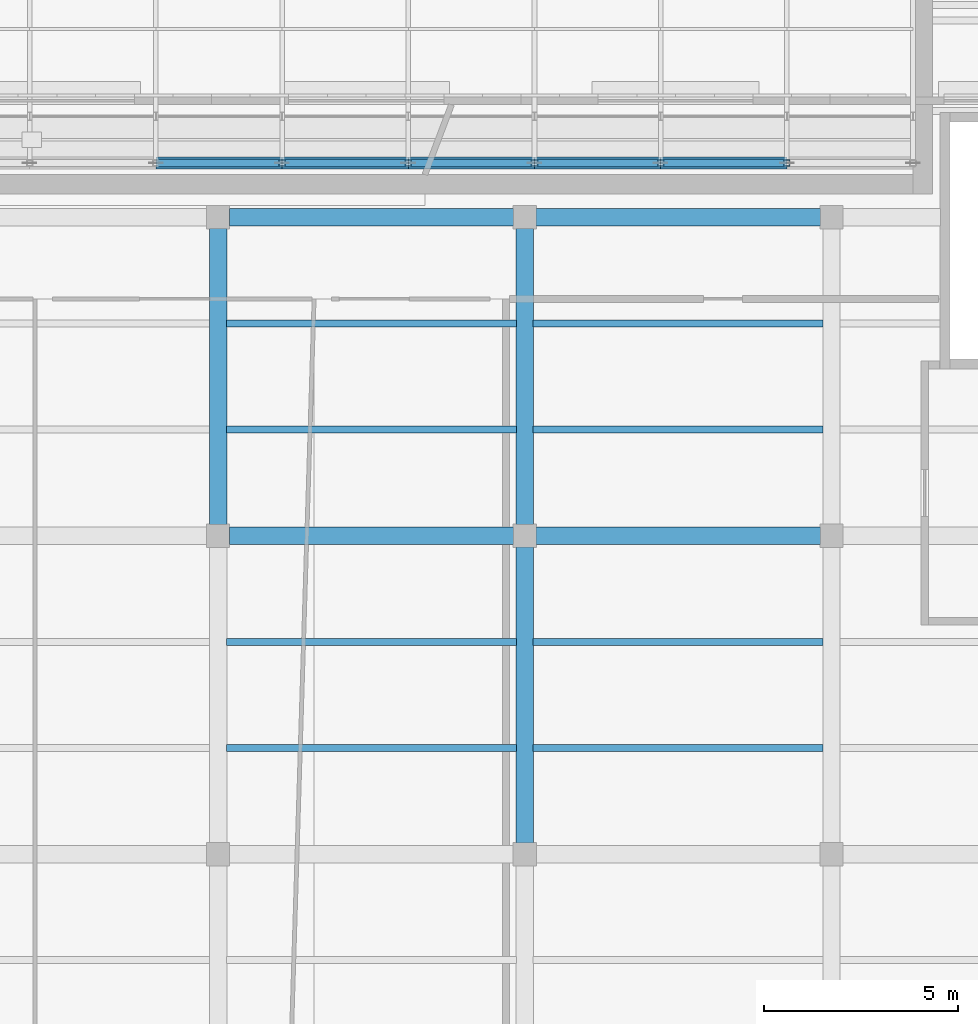
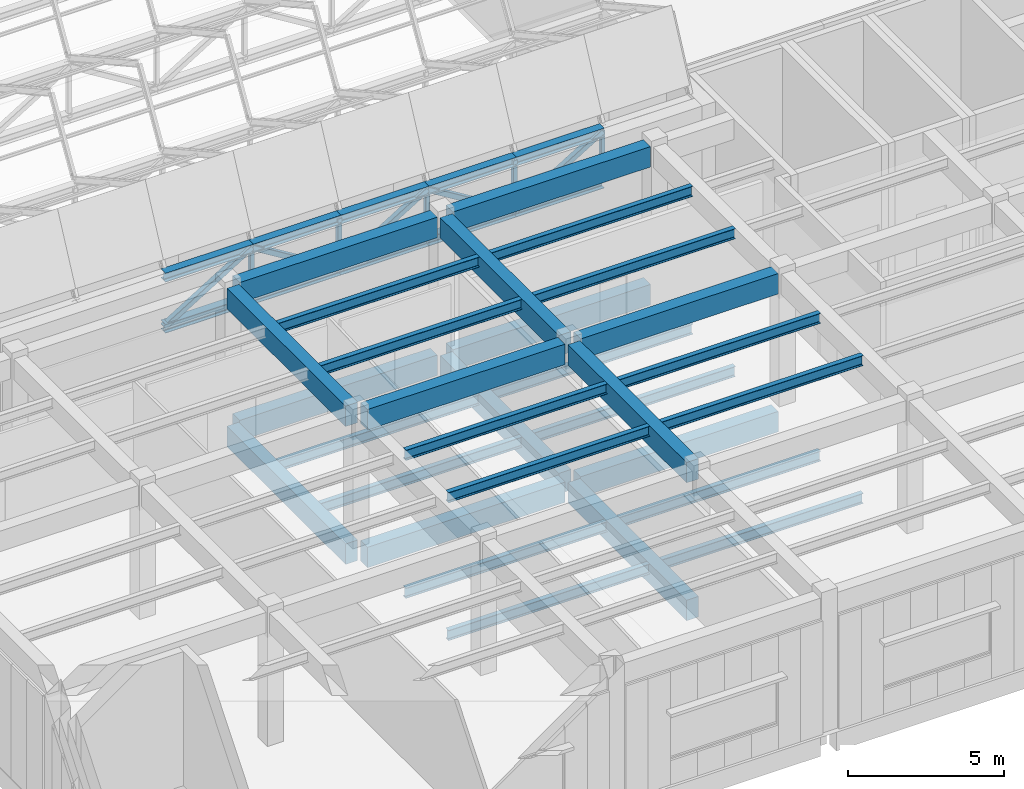
# One storey, part 48 of 132: 30 beams, 20 members.
"""IFC4 building model written with IfcOpenShell, lengths in metres."""

from ifc_helpers import new_model, si_unit, direction, frame, origin, origin_2d, place, context, subcontext, project, spatial, rectangle, hollow_rectangle, i_section, extrude, material, material_profile, profile_set, type_object, element, save


model = new_model("IFC4")

# Units and contexts
model_context = context("Model", 3, precision=1e-05, world=origin(), true_north=direction((0.0, 1.0)))
body_context = subcontext(model_context, "Body", "Model", "MODEL_VIEW")
ifc_project = project(units=[si_unit("LENGTHUNIT", "METRE"), si_unit("AREAUNIT", "SQUARE_METRE"), si_unit("VOLUMEUNIT", "CUBIC_METRE"), si_unit("PLANEANGLEUNIT", "RADIAN"), si_unit("MASSUNIT", "GRAM", prefix="KILO")], contexts=[model_context])

# Site, building, storey
site_placement = place(None, origin())
site = spatial("IfcSite", under=ifc_project, at=site_placement, CompositionType="ELEMENT")
building_placement = place(site_placement, origin())
building = spatial("IfcBuilding", under=site, at=building_placement, Name="Lunette Opera House", CompositionType="ELEMENT")
storey_placement = place(building_placement, frame((0.0, 0.0, 17.0)))
storey = spatial("IfcBuildingStorey", under=building, at=storey_placement, Name="L03", CompositionType="ELEMENT", Elevation=17.0)

# Members
ifc_material_1 = material(Name="Steel S355", Category="steel")
ifc_material_profile_1 = material_profile(ifc_material_1, i_section(OverallWidth=0.300048828125, OverallDepth=0.35009765625, WebThickness=0.010009765625, FlangeThickness=0.017578125, FilletRadius=0.027099609375, at=origin_2d()), Name="HEA 360")
ifc_profile_set_1 = profile_set([ifc_material_profile_1], Name="Steel S355")
member_type_1 = type_object("IfcMemberType", Name="CHORD HEA 360", PredefinedType="CHORD", material=ifc_profile_set_1)
for number, where, z_axis, x_axis, name in (
    (1, (150.5, 104.300048828125, 5.205078125), (1.0, 0.0, 0.0), (0.0, 1.0, 0.0), "mem-WW-L03-WW-TR01-TC3"),
    (2, (150.5, 104.300048828125, 3.205078125), (1.0, 0.0, 0.0), (0.0, 1.0, 0.0), "mem-WW-L03-WW-TR01-BC3"),
    (3, (153.75, 104.300048828125, 5.205078125), (1.0, 0.0, 0.0), (0.0, 1.0, 0.0), "mem-WW-L03-WW-TR01-TC4"),
    (4, (153.75, 104.300048828125, 3.205078125), (1.0, 0.0, 0.0), (0.0, 1.0, 0.0), "mem-WW-L03-WW-TR01-BC4"),
    (5, (157.0, 104.300048828125, 5.205078125), (1.0, 0.0, 0.0), (0.0, 1.0, 0.0), "mem-WW-L03-WW-TR01-TC5"),
    (6, (157.0, 104.300048828125, 3.205078125), (1.0, 0.0, 0.0), (0.0, 1.0, 0.0), "mem-WW-L03-WW-TR01-BC5"),
    (7, (160.25, 104.300048828125, 5.205078125), (1.0, 0.0, 0.0), (0.0, 1.0, 0.0), "mem-WW-L03-WW-TR01-TC6"),
    (8, (160.25, 104.300048828125, 3.205078125), (1.0, 0.0, 0.0), (0.0, 1.0, 0.0), "mem-WW-L03-WW-TR01-BC6"),
    (9, (163.5, 104.300048828125, 5.205078125), (1.0, 0.0, 0.0), (0.0, 1.0, 0.0), "mem-WW-L03-WW-TR01-TC7"),
    (10, (163.5, 104.300048828125, 3.205078125), (1.0, 0.0, 0.0), (0.0, 1.0, 0.0), "mem-WW-L03-WW-TR01-BC7"),
):
    element("IfcMember", number, at=place(storey_placement, frame(where, z_axis=z_axis, x_axis=x_axis)), inside=storey, type_object=member_type_1, Name=name, PredefinedType="CHORD", context=body_context, shape_type="SweptSolid", body=[
        extrude(i_section(OverallWidth=0.300048828125, OverallDepth=0.35009765625, WebThickness=0.010009765625, FlangeThickness=0.017578125, FilletRadius=0.027099609375, at=origin_2d()), origin(), (0.0, 0.0, 1.0), 3.25),
    ])
ifc_material_2 = material(Name="Steel S355", Category="steel")
ifc_material_profile_2 = material_profile(ifc_material_2, hollow_rectangle(XDim=0.199951171875, YDim=0.199951171875, WallThickness=0.008056640625, InnerFilletRadius=0.008056640625, OuterFilletRadius=0.01611328125, at=origin_2d()), Name="RHS 200X200X8")
ifc_profile_set_2 = profile_set([ifc_material_profile_2], Name="Steel S355")
member_type_2 = type_object("IfcMemberType", Name="DIAGONAL RHS 200X200X8", PredefinedType="BRACE", material=ifc_profile_set_2)
for number, where, z_axis, x_axis, name in (
    (11, (150.5, 104.300048828125, 3.205078125), (0.851658316705, 0.0, 0.524097425664), (0.0, 1.0, 0.0), "mem-WW-L03-WW-TR01-TD3"),
    (12, (153.75, 104.300048828125, 5.205078125), (0.851658316705, 0.0, -0.524097425664), (0.0, 1.0, 0.0), "mem-WW-L03-WW-TR01-TD4"),
    (13, (157.0, 104.300048828125, 3.205078125), (0.851658316705, 0.0, 0.524097425664), (0.0, 1.0, 0.0), "mem-WW-L03-WW-TR01-TD5"),
    (14, (160.25, 104.300048828125, 5.205078125), (0.851658316705, 0.0, -0.524097425664), (0.0, 1.0, 0.0), "mem-WW-L03-WW-TR01-TD6"),
    (15, (163.5, 104.300048828125, 3.205078125), (0.851658316705, 0.0, 0.524097425664), (0.0, 1.0, 0.0), "mem-WW-L03-WW-TR01-TD7"),
):
    element("IfcMember", number, at=place(storey_placement, frame(where, z_axis=z_axis, x_axis=x_axis)), inside=storey, type_object=member_type_2, Name=name, PredefinedType="BRACE", context=body_context, shape_type="SweptSolid", body=[
        extrude(hollow_rectangle(XDim=0.199951171875, YDim=0.199951171875, WallThickness=0.008056640625, InnerFilletRadius=0.008056640625, OuterFilletRadius=0.01611328125, at=origin_2d()), origin(), (0.0, 0.0, 1.0), 3.816162109375),
    ])

# Beams
ifc_material_3 = material(Name="Concrete C35/45", Category="concrete")
ifc_material_profile_3 = material_profile(ifc_material_3, rectangle(XDim=0.449951171875, YDim=0.800048828125, at=origin_2d()), Name="RC BEAM 450X800")
ifc_profile_set_3 = profile_set([ifc_material_profile_3], Name="Concrete C35/45")
beam_type_1 = type_object("IfcBeamType", Name="RC BEAM 450X800", PredefinedType="BEAM", material=ifc_profile_set_3)
beam_1_placement = place(storey_placement, frame((152.10009765625, 94.989990234375, -0.550048828125), z_axis=(0.0, 1.0, 0.0), x_axis=(-1.0, 0.0, 0.0)))
element("IfcBeam", 16, at=beam_1_placement, inside=storey, type_object=beam_type_1, Name="beam-WW-L03-L03-GY22", PredefinedType="BEAM", context=body_context, shape_type="SweptSolid", body=[
    extrude(rectangle(XDim=0.449951171875, YDim=0.800048828125, at=origin_2d()), origin(), (0.0, 0.0, 1.0), 7.6201171875),
])
beam_2_placement = place(storey_placement, frame((160.0, 86.7900390625, -0.550048828125), z_axis=(0.0, 1.0, 0.0), x_axis=(-1.0, 0.0, 0.0)))
element("IfcBeam", 17, at=beam_2_placement, inside=storey, type_object=beam_type_1, Name="beam-WW-L03-L03-GY31", PredefinedType="BEAM", context=body_context, shape_type="SweptSolid", body=[
    extrude(rectangle(XDim=0.449951171875, YDim=0.800048828125, at=origin_2d()), origin(), (0.0, 0.0, 1.0), 7.619873046875),
])
beam_3_placement = place(storey_placement, frame((160.0, 94.989990234375, -0.550048828125), z_axis=(0.0, 1.0, 0.0), x_axis=(-1.0, 0.0, 0.0)))
element("IfcBeam", 18, at=beam_3_placement, inside=storey, type_object=beam_type_1, Name="beam-WW-L03-L03-GY32", PredefinedType="BEAM", context=body_context, shape_type="SweptSolid", body=[
    extrude(rectangle(XDim=0.449951171875, YDim=0.800048828125, at=origin_2d()), origin(), (0.0, 0.0, 1.0), 7.6201171875),
])
for number, where, z_axis, x_axis, name in (
    (19, (152.389892578125, 94.699951171875, -0.550048828125), (1.0, 0.0, 0.0), (0.0, 1.0, 0.0), "beam-WW-L03-L03-GX22"),
    (20, (160.2900390625, 94.699951171875, -0.550048828125), (1.0, 0.0, 0.0), (0.0, 1.0, 0.0), "beam-WW-L03-L03-GX32"),
    (21, (152.389892578125, 102.89990234375, -0.550048828125), (1.0, 0.0, 0.0), (0.0, 1.0, 0.0), "beam-WW-L03-L03-GX23"),
    (22, (160.2900390625, 102.89990234375, -0.550048828125), (1.0, 0.0, 0.0), (0.0, 1.0, 0.0), "beam-WW-L03-L03-GX33"),
):
    element("IfcBeam", number, at=place(storey_placement, frame(where, z_axis=z_axis, x_axis=x_axis)), inside=storey, type_object=beam_type_1, Name=name, PredefinedType="BEAM", context=body_context, shape_type="SweptSolid", body=[
        extrude(rectangle(XDim=0.449951171875, YDim=0.800048828125, at=origin_2d()), origin(), (0.0, 0.0, 1.0), 7.320068359375),
    ])
beam_4_placement = place(storey_placement, frame((152.10009765625, 94.989990234375, 4.85009765625), z_axis=(0.0, 1.0, 0.0), x_axis=(-1.0, 0.0, 0.0)))
element("IfcBeam", 23, at=beam_4_placement, inside=storey, type_object=beam_type_1, Name="beam-WW-L03-L03R-GY22", PredefinedType="BEAM", context=body_context, shape_type="SweptSolid", body=[
    extrude(rectangle(XDim=0.449951171875, YDim=0.800048828125, at=origin_2d()), origin(), (0.0, 0.0, 1.0), 7.6201171875),
])
beam_5_placement = place(storey_placement, frame((160.0, 86.7900390625, 4.85009765625), z_axis=(0.0, 1.0, 0.0), x_axis=(-1.0, 0.0, 0.0)))
element("IfcBeam", 24, at=beam_5_placement, inside=storey, type_object=beam_type_1, Name="beam-WW-L03-L03R-GY31", PredefinedType="BEAM", context=body_context, shape_type="SweptSolid", body=[
    extrude(rectangle(XDim=0.449951171875, YDim=0.800048828125, at=origin_2d()), origin(), (0.0, 0.0, 1.0), 7.619873046875),
])
beam_6_placement = place(storey_placement, frame((160.0, 94.989990234375, 4.85009765625), z_axis=(0.0, 1.0, 0.0), x_axis=(-1.0, 0.0, 0.0)))
element("IfcBeam", 25, at=beam_6_placement, inside=storey, type_object=beam_type_1, Name="beam-WW-L03-L03R-GY32", PredefinedType="BEAM", context=body_context, shape_type="SweptSolid", body=[
    extrude(rectangle(XDim=0.449951171875, YDim=0.800048828125, at=origin_2d()), origin(), (0.0, 0.0, 1.0), 7.6201171875),
])
for number, where, z_axis, x_axis, name in (
    (26, (152.389892578125, 94.699951171875, 4.85009765625), (1.0, 0.0, 0.0), (0.0, 1.0, 0.0), "beam-WW-L03-L03R-GX22"),
    (27, (160.2900390625, 94.699951171875, 4.85009765625), (1.0, 0.0, 0.0), (0.0, 1.0, 0.0), "beam-WW-L03-L03R-GX32"),
    (28, (152.389892578125, 102.89990234375, 4.85009765625), (1.0, 0.0, 0.0), (0.0, 1.0, 0.0), "beam-WW-L03-L03R-GX23"),
    (29, (160.2900390625, 102.89990234375, 4.85009765625), (1.0, 0.0, 0.0), (0.0, 1.0, 0.0), "beam-WW-L03-L03R-GX33"),
):
    element("IfcBeam", number, at=place(storey_placement, frame(where, z_axis=z_axis, x_axis=x_axis)), inside=storey, type_object=beam_type_1, Name=name, PredefinedType="BEAM", context=body_context, shape_type="SweptSolid", body=[
        extrude(rectangle(XDim=0.449951171875, YDim=0.800048828125, at=origin_2d()), origin(), (0.0, 0.0, 1.0), 7.320068359375),
    ])
ifc_material_4 = material(Name="Steel S355", Category="steel")
ifc_material_profile_4 = material_profile(ifc_material_4, i_section(OverallWidth=0.179931640625, OverallDepth=0.39990234375, WebThickness=0.008544921875, FlangeThickness=0.013427734375, FilletRadius=0.02099609375, at=origin_2d()), Name="IPE 400")
ifc_profile_set_4 = profile_set([ifc_material_profile_4], Name="Steel S355")
beam_type_2 = type_object("IfcBeamType", Name="STEEL BEAM IPE 400", PredefinedType="BEAM", material=ifc_profile_set_4)
for number, where, z_axis, x_axis, name in (
    (30, (152.31494140625, 89.23291015625, -0.35009765625), (1.0, 0.0, 0.0), (0.0, 1.0, 0.0), "beam-WW-L03-L03-SX211"),
    (31, (152.31494140625, 91.967041015625, -0.35009765625), (1.0, 0.0, 0.0), (0.0, 1.0, 0.0), "beam-WW-L03-L03-SX212"),
    (32, (152.31494140625, 97.43310546875, -0.35009765625), (1.0, 0.0, 0.0), (0.0, 1.0, 0.0), "beam-WW-L03-L03-SX221"),
    (33, (152.31494140625, 100.1669921875, -0.35009765625), (1.0, 0.0, 0.0), (0.0, 1.0, 0.0), "beam-WW-L03-L03-SX222"),
    (34, (160.215087890625, 89.23291015625, -0.35009765625), (1.0, 0.0, 0.0), (0.0, 1.0, 0.0), "beam-WW-L03-L03-SX311"),
    (35, (160.215087890625, 91.967041015625, -0.35009765625), (1.0, 0.0, 0.0), (0.0, 1.0, 0.0), "beam-WW-L03-L03-SX312"),
    (36, (160.215087890625, 97.43310546875, -0.35009765625), (1.0, 0.0, 0.0), (0.0, 1.0, 0.0), "beam-WW-L03-L03-SX321"),
    (37, (160.215087890625, 100.1669921875, -0.35009765625), (1.0, 0.0, 0.0), (0.0, 1.0, 0.0), "beam-WW-L03-L03-SX322"),
    (38, (152.31494140625, 89.23291015625, 5.050048828125), (1.0, 0.0, 0.0), (0.0, 1.0, 0.0), "beam-WW-L03-L03R-SX211"),
    (39, (152.31494140625, 91.967041015625, 5.050048828125), (1.0, 0.0, 0.0), (0.0, 1.0, 0.0), "beam-WW-L03-L03R-SX212"),
    (40, (152.31494140625, 97.43310546875, 5.050048828125), (1.0, 0.0, 0.0), (0.0, 1.0, 0.0), "beam-WW-L03-L03R-SX221"),
    (41, (152.31494140625, 100.1669921875, 5.050048828125), (1.0, 0.0, 0.0), (0.0, 1.0, 0.0), "beam-WW-L03-L03R-SX222"),
    (42, (160.215087890625, 89.23291015625, 5.050048828125), (1.0, 0.0, 0.0), (0.0, 1.0, 0.0), "beam-WW-L03-L03R-SX311"),
    (43, (160.215087890625, 91.967041015625, 5.050048828125), (1.0, 0.0, 0.0), (0.0, 1.0, 0.0), "beam-WW-L03-L03R-SX312"),
    (44, (160.215087890625, 97.43310546875, 5.050048828125), (1.0, 0.0, 0.0), (0.0, 1.0, 0.0), "beam-WW-L03-L03R-SX321"),
    (45, (160.215087890625, 100.1669921875, 5.050048828125), (1.0, 0.0, 0.0), (0.0, 1.0, 0.0), "beam-WW-L03-L03R-SX322"),
):
    element("IfcBeam", number, at=place(storey_placement, frame(where, z_axis=z_axis, x_axis=x_axis)), inside=storey, type_object=beam_type_2, Name=name, PredefinedType="BEAM", context=body_context, shape_type="SweptSolid", body=[
        extrude(i_section(OverallWidth=0.179931640625, OverallDepth=0.39990234375, WebThickness=0.008544921875, FlangeThickness=0.013427734375, FilletRadius=0.02099609375, at=origin_2d()), origin(), (0.0, 0.0, 1.0), 7.469970703125),
    ])

# Members
ifc_material_5 = material(Name="Steel S355", Category="steel")
ifc_material_profile_5 = material_profile(ifc_material_5, hollow_rectangle(XDim=0.159912109375, YDim=0.159912109375, WallThickness=0.008056640625, InnerFilletRadius=0.008056640625, OuterFilletRadius=0.01611328125, at=origin_2d()), Name="RHS 160X160X8")
ifc_profile_set_5 = profile_set([ifc_material_profile_5], Name="Steel S355")
member_type_3 = type_object("IfcMemberType", Name="VERTICAL RHS 160X160X8", PredefinedType="POST", material=ifc_profile_set_5)
for number, where, z_axis, x_axis, name in (
    (46, (153.75, 104.300048828125, 3.205078125), (0.0, 0.0, 1.0), (1.0, 0.0, 0.0), "mem-WW-L03-WW-TR01-TV4"),
    (47, (157.0, 104.300048828125, 3.205078125), (0.0, 0.0, 1.0), (1.0, 0.0, 0.0), "mem-WW-L03-WW-TR01-TV5"),
    (48, (160.25, 104.300048828125, 3.205078125), (0.0, 0.0, 1.0), (1.0, 0.0, 0.0), "mem-WW-L03-WW-TR01-TV6"),
    (49, (163.5, 104.300048828125, 3.205078125), (0.0, 0.0, 1.0), (1.0, 0.0, 0.0), "mem-WW-L03-WW-TR01-TV7"),
    (50, (166.75, 104.300048828125, 3.205078125), (0.0, 0.0, 1.0), (1.0, 0.0, 0.0), "mem-WW-L03-WW-TR01-TV8"),
):
    element("IfcMember", number, at=place(storey_placement, frame(where, z_axis=z_axis, x_axis=x_axis)), inside=storey, type_object=member_type_3, Name=name, PredefinedType="POST", context=body_context, shape_type="SweptSolid", body=[
        extrude(hollow_rectangle(XDim=0.159912109375, YDim=0.159912109375, WallThickness=0.008056640625, InnerFilletRadius=0.008056640625, OuterFilletRadius=0.01611328125, at=origin_2d()), origin(), (0.0, 0.0, 1.0), 2.0),
    ])

save(model, "model.ifc")
